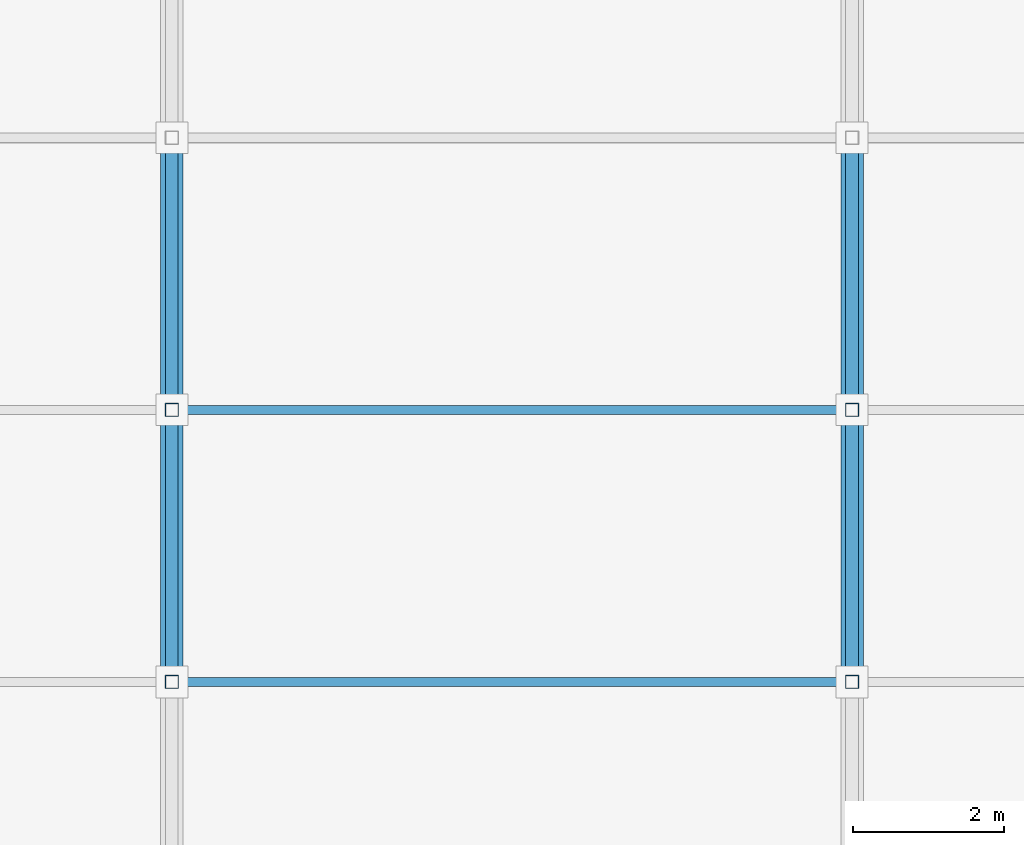
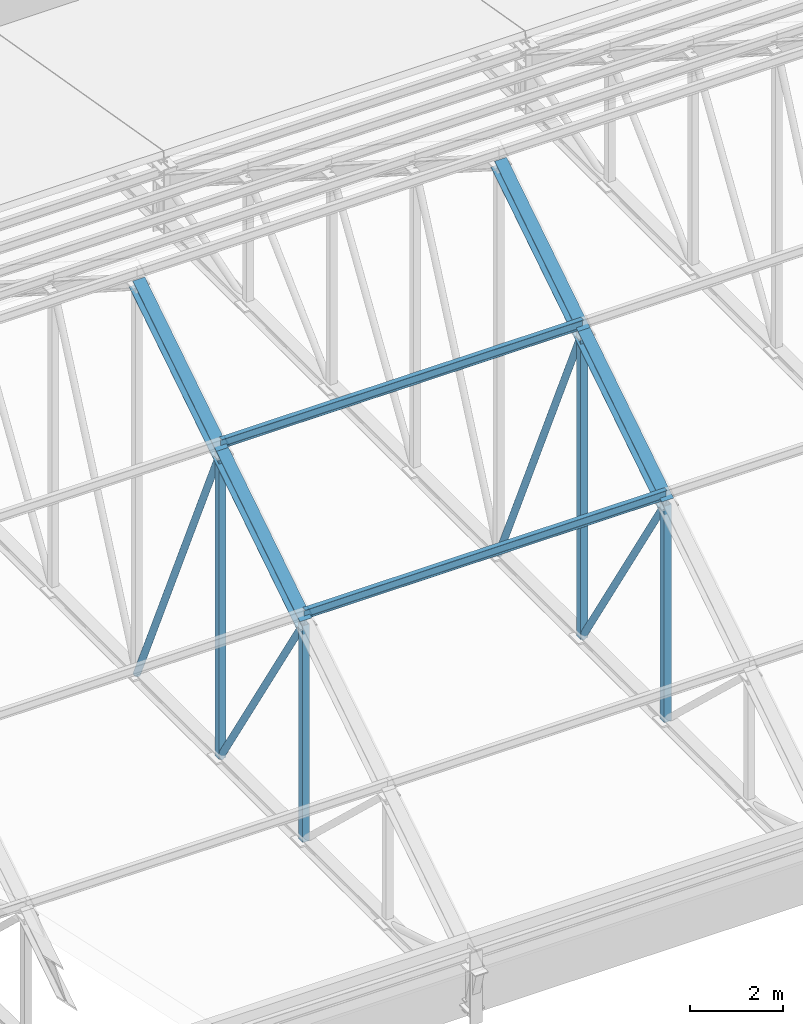
# One storey, part 104 of 182: 14 members.
"""IFC4 building model written with IfcOpenShell, lengths in metres."""

from ifc_helpers import new_model, si_unit, direction, frame, origin, origin_2d, place, context, subcontext, project, spatial, hollow_rectangle, hollow_circle, i_section, extrude, material, material_profile, profile_set, type_object, element, save


model = new_model("IFC4")

# Units and contexts
model_context = context("Model", 3, precision=1e-05, world=origin(), true_north=direction((0.0, 1.0)))
body_context = subcontext(model_context, "Body", "Model", "MODEL_VIEW")
ifc_project = project(units=[si_unit("LENGTHUNIT", "METRE"), si_unit("AREAUNIT", "SQUARE_METRE"), si_unit("VOLUMEUNIT", "CUBIC_METRE"), si_unit("PLANEANGLEUNIT", "RADIAN"), si_unit("MASSUNIT", "GRAM", prefix="KILO")], contexts=[model_context])

# Site, building, storey
site_placement = place(None, origin())
site = spatial("IfcSite", under=ifc_project, at=site_placement, CompositionType="ELEMENT")
building_placement = place(site_placement, origin())
building = spatial("IfcBuilding", under=site, at=building_placement, Name="Chiffa Square Polytechnic", CompositionType="ELEMENT")
storey_placement = place(building_placement, frame((0.0, 0.0, 9.60009765625)))
storey = spatial("IfcBuildingStorey", under=building, at=storey_placement, Name="L02", CompositionType="ELEMENT", Elevation=9.60009765625)

# Members
ifc_material = material(Name="Steel S355", Category="steel")
ifc_material_profile_1 = material_profile(ifc_material, i_section(OverallWidth=0.300048828125, OverallDepth=0.31005859375, WebThickness=0.009033203125, FlangeThickness=0.015380859375, FilletRadius=0.027099609375, at=origin_2d()), Name="HEA 320")
ifc_profile_set_1 = profile_set([ifc_material_profile_1], Name="Steel S355")
member_type_1 = type_object("IfcMemberType", Name="MEM-CHORD-HEA320", PredefinedType="CHORD", material=ifc_profile_set_1)
for number, where, z_axis, x_axis, name in (
    (1, (130.199951171875, 65.39990234375, 6.0498046875), (0.0, 0.84269770024, 0.538387022512), (-1.0, 0.0, 0.0), "Workshop roof truss top chord TCT-V2-03-03"),
    (2, (130.199951171875, 69.0, 8.349853515625), (0.0, 0.84269770024, 0.538387022512), (-1.0, 0.0, 0.0), "Workshop roof truss top chord TCT-V2-03-04"),
    (3, (139.199951171875, 65.39990234375, 6.0498046875), (0.0, 0.84269770024, 0.538387022512), (-1.0, 0.0, 0.0), "Workshop roof truss top chord TCT-V2-04-03"),
    (4, (139.199951171875, 69.0, 8.349853515625), (0.0, 0.84269770024, 0.538387022512), (-1.0, 0.0, 0.0), "Workshop roof truss top chord TCT-V2-04-04"),
):
    element("IfcMember", number, at=place(storey_placement, frame(where, z_axis=z_axis, x_axis=x_axis)), inside=storey, type_object=member_type_1, Name=name, PredefinedType="CHORD", context=body_context, shape_type="SweptSolid", body=[
        extrude(i_section(OverallWidth=0.300048828125, OverallDepth=0.31005859375, WebThickness=0.009033203125, FlangeThickness=0.015380859375, FilletRadius=0.027099609375, at=origin_2d()), origin(), (0.0, 0.0, 1.0), 4.272216796875),
    ])
ifc_material_profile_2 = material_profile(ifc_material, i_section(OverallWidth=0.1201171875, OverallDepth=0.239990234375, WebThickness=0.006103515625, FlangeThickness=0.009765625, FilletRadius=0.014892578125, at=origin_2d()), Name="IPE 240")
ifc_profile_set_2 = profile_set([ifc_material_profile_2], Name="Steel S355")
member_type_2 = type_object("IfcMemberType", Name="MEM-PUR-IPE240", PredefinedType="PURLIN", material=ifc_profile_set_2)
for number, where, z_axis, x_axis, name in (
    (5, (130.199951171875, 65.39990234375, 6.2998046875), (1.0, 0.0, 0.0), (0.0, 1.0, 0.0), "Workshop steel roof purlin PU-V2-03-03"),
    (6, (130.199951171875, 69.0, 8.599853515625), (1.0, 0.0, 0.0), (0.0, 1.0, 0.0), "Workshop steel roof purlin PU-V2-03-04"),
):
    element("IfcMember", number, at=place(storey_placement, frame(where, z_axis=z_axis, x_axis=x_axis)), inside=storey, type_object=member_type_2, Name=name, PredefinedType="PURLIN", context=body_context, shape_type="SweptSolid", body=[
        extrude(i_section(OverallWidth=0.1201171875, OverallDepth=0.239990234375, WebThickness=0.006103515625, FlangeThickness=0.009765625, FilletRadius=0.014892578125, at=origin_2d()), origin(), (0.0, 0.0, 1.0), 9.0),
    ])
ifc_material_profile_3 = material_profile(ifc_material, hollow_circle(Radius=0.084228515625, WallThickness=0.010009765625, at=origin_2d()), Name="CHS 168.3x10")
ifc_profile_set_3 = profile_set([ifc_material_profile_3], Name="Steel S355")
member_type_3 = type_object("IfcMemberType", Name="MEM-WEB-CHS168", PredefinedType="MEMBER", material=ifc_profile_set_3)
member_1_placement = place(storey_placement, frame((130.199951171875, 65.39990234375, 6.0498046875), z_axis=(0.0, 0.53400661626, -0.845480297695), x_axis=(-1.0, 0.0, 0.0)))
element("IfcMember", 7, at=member_1_placement, inside=storey, type_object=member_type_3, Name="Workshop roof truss diagonal TWD-V2-03-03", PredefinedType="MEMBER", context=body_context, shape_type="SweptSolid", body=[
    extrude(hollow_circle(Radius=0.084228515625, WallThickness=0.010009765625, at=origin_2d()), origin(), (0.0, 0.0, 1.0), 6.74169921875),
])
member_2_placement = place(storey_placement, frame((130.199951171875, 69.0, 8.349853515625), z_axis=(0.0, 0.410373934525, -0.91191733938), x_axis=(-1.0, 0.0, 0.0)))
element("IfcMember", 8, at=member_2_placement, inside=storey, type_object=member_type_3, Name="Workshop roof truss diagonal TWD-V2-03-04", PredefinedType="MEMBER", context=body_context, shape_type="SweptSolid", body=[
    extrude(hollow_circle(Radius=0.084228515625, WallThickness=0.010009765625, at=origin_2d()), origin(), (0.0, 0.0, 1.0), 8.772705078125),
])
member_3_placement = place(storey_placement, frame((139.199951171875, 65.39990234375, 6.0498046875), z_axis=(0.0, 0.53400661626, -0.845480297695), x_axis=(-1.0, 0.0, 0.0)))
element("IfcMember", 9, at=member_3_placement, inside=storey, type_object=member_type_3, Name="Workshop roof truss diagonal TWD-V2-04-03", PredefinedType="MEMBER", context=body_context, shape_type="SweptSolid", body=[
    extrude(hollow_circle(Radius=0.084228515625, WallThickness=0.010009765625, at=origin_2d()), origin(), (0.0, 0.0, 1.0), 6.74169921875),
])
member_4_placement = place(storey_placement, frame((139.199951171875, 69.0, 8.349853515625), z_axis=(0.0, 0.410373934525, -0.91191733938), x_axis=(-1.0, 0.0, 0.0)))
element("IfcMember", 10, at=member_4_placement, inside=storey, type_object=member_type_3, Name="Workshop roof truss diagonal TWD-V2-04-04", PredefinedType="MEMBER", context=body_context, shape_type="SweptSolid", body=[
    extrude(hollow_circle(Radius=0.084228515625, WallThickness=0.010009765625, at=origin_2d()), origin(), (0.0, 0.0, 1.0), 8.772705078125),
])
ifc_material_profile_4 = material_profile(ifc_material, hollow_rectangle(XDim=0.179931640625, YDim=0.179931640625, WallThickness=0.010009765625, at=origin_2d()), Name="RHS 180x180x10")
ifc_profile_set_4 = profile_set([ifc_material_profile_4], Name="Steel S355")
member_type_4 = type_object("IfcMemberType", Name="MEM-WEB-RHS180", PredefinedType="MEMBER", material=ifc_profile_set_4)
member_5_placement = place(storey_placement, frame((130.199951171875, 65.39990234375, 0.349853515625), z_axis=(0.0, 0.0, 1.0), x_axis=(1.0, 0.0, 0.0)))
element("IfcMember", 11, at=member_5_placement, inside=storey, type_object=member_type_4, Name="Workshop roof truss vertical TWV-V2-03-03", PredefinedType="MEMBER", context=body_context, shape_type="SweptSolid", body=[
    extrude(hollow_rectangle(XDim=0.179931640625, YDim=0.179931640625, WallThickness=0.010009765625, at=origin_2d()), origin(), (0.0, 0.0, 1.0), 5.699951171875),
])
member_6_placement = place(storey_placement, frame((130.199951171875, 69.0, 0.349853515625), z_axis=(0.0, 0.0, 1.0), x_axis=(1.0, 0.0, 0.0)))
element("IfcMember", 12, at=member_6_placement, inside=storey, type_object=member_type_4, Name="Workshop roof truss vertical TWV-V2-03-04", PredefinedType="MEMBER", context=body_context, shape_type="SweptSolid", body=[
    extrude(hollow_rectangle(XDim=0.179931640625, YDim=0.179931640625, WallThickness=0.010009765625, at=origin_2d()), origin(), (0.0, 0.0, 1.0), 8.0),
])
member_7_placement = place(storey_placement, frame((139.199951171875, 65.39990234375, 0.349853515625), z_axis=(0.0, 0.0, 1.0), x_axis=(1.0, 0.0, 0.0)))
element("IfcMember", 13, at=member_7_placement, inside=storey, type_object=member_type_4, Name="Workshop roof truss vertical TWV-V2-04-03", PredefinedType="MEMBER", context=body_context, shape_type="SweptSolid", body=[
    extrude(hollow_rectangle(XDim=0.179931640625, YDim=0.179931640625, WallThickness=0.010009765625, at=origin_2d()), origin(), (0.0, 0.0, 1.0), 5.699951171875),
])
member_8_placement = place(storey_placement, frame((139.199951171875, 69.0, 0.349853515625), z_axis=(0.0, 0.0, 1.0), x_axis=(1.0, 0.0, 0.0)))
element("IfcMember", 14, at=member_8_placement, inside=storey, type_object=member_type_4, Name="Workshop roof truss vertical TWV-V2-04-04", PredefinedType="MEMBER", context=body_context, shape_type="SweptSolid", body=[
    extrude(hollow_rectangle(XDim=0.179931640625, YDim=0.179931640625, WallThickness=0.010009765625, at=origin_2d()), origin(), (0.0, 0.0, 1.0), 8.0),
])

save(model, "model.ifc")
